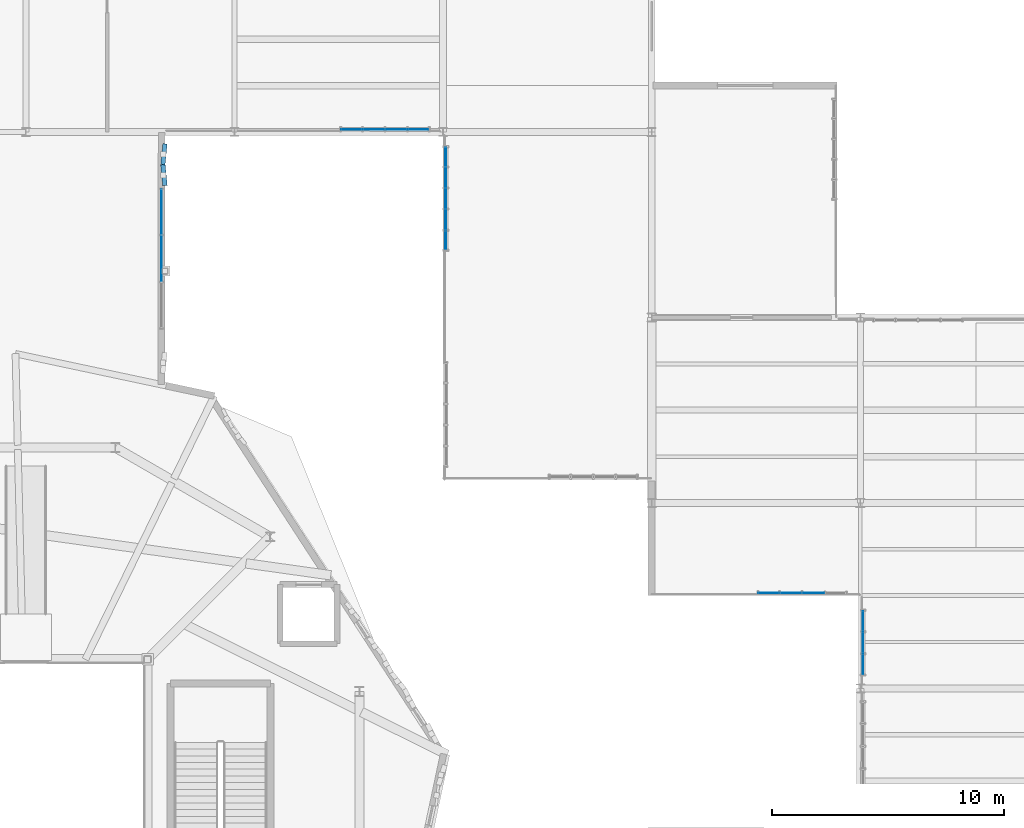
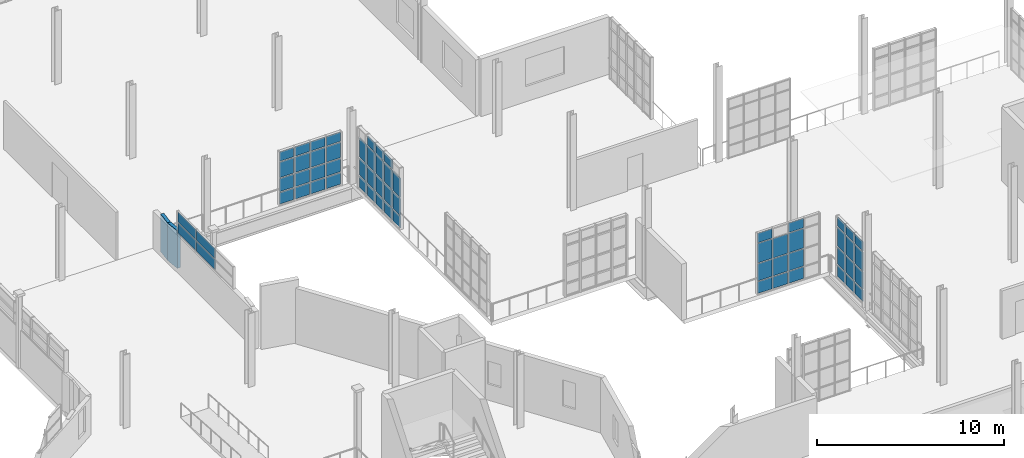
# One storey, part 93 of 118: 63 plates, 5 elements without a shape of their own.
"""IFC4 building model written with IfcOpenShell, lengths in metres."""

import ifcopenshell
import ifcopenshell.guid

model = None  # the IFC model being written
_history = None  # IfcOwnerHistory: only IFC2X3 demands one
_inside = {}  # id of a spatial element -> (the spatial element, [elements in it])
_under = {}  # id of a project, library or spatial element -> (it, [spatial elements below it])
_declared = {}  # id of a project -> (the project, [libraries it declares])
_typed = {}  # id of a type object -> (the type object, [elements of that type])
_made_of = {}  # id of a material, layer set ... -> (it, [elements and type objects made of it])


def new_model(schema):
    """Start an empty IFC model of exactly this schema.

    Asked for "IFC4X3", IfcOpenShell would pick the latest addendum, in which some entities
    have other attributes; the version numbers below select the first issue.
    IFC2X3 requires an IfcOwnerHistory on every rooted entity: one is made here for all.
    """
    global model, _history
    if schema == "IFC4X3":
        model = ifcopenshell.file(schema_version=(4, 3, 0, 0))
    else:
        model = ifcopenshell.file(schema=schema)
    _inside.clear()
    _under.clear()
    _declared.clear()
    _typed.clear()
    _made_of.clear()
    _history = None
    if model.schema == "IFC2X3":
        org = make("IfcOrganization", Name="unknown")
        user = make(
            "IfcPersonAndOrganization",
            ThePerson=make("IfcPerson", FamilyName="unknown"),
            TheOrganization=org,
        )
        app = make(
            "IfcApplication",
            ApplicationDeveloper=org,
            Version="unknown",
            ApplicationFullName="unknown",
            ApplicationIdentifier="unknown",
        )
        _history = make(
            "IfcOwnerHistory",
            OwningUser=user,
            OwningApplication=app,
            ChangeAction="ADDED",
            CreationDate=0,
        )
    return model


def make(cls, **values):
    """One entity of the class cls with the attributes given. An attribute that is None is left unset."""
    return model.create_entity(
        cls, **{name: value for name, value in values.items() if value is not None}
    )


def rooted(cls, **values):
    """An entity with a GlobalId (a new one), such as an element, a storey or a relation."""
    return make(cls, GlobalId=ifcopenshell.guid.new(), OwnerHistory=_history, **values)


def si_unit(unit_type, name, prefix=None):
    """IfcSIUnit, for example si_unit("LENGTHUNIT", "METRE", prefix="MILLI")."""
    return make("IfcSIUnit", UnitType=unit_type, Prefix=prefix, Name=name)


def assignment(units):
    """IfcUnitAssignment: the units of a project."""
    return None if units is None else make("IfcUnitAssignment", Units=units)


def point(xyz):
    """IfcCartesianPoint."""
    return None if xyz is None else make("IfcCartesianPoint", Coordinates=xyz)


def direction(xyz):
    """IfcDirection."""
    return None if xyz is None else make("IfcDirection", DirectionRatios=xyz)


def frame(location, z_axis=None, x_axis=None):
    """IfcAxis2Placement3D, a coordinate frame: its origin and axes. An axis left out is left unset."""
    return make(
        "IfcAxis2Placement3D",
        Location=point(location),
        Axis=direction(z_axis),
        RefDirection=direction(x_axis),
    )


def frame_2d(location, x_axis=None):
    """IfcAxis2Placement2D, a coordinate frame in the plane: its origin and x axis."""
    return make(
        "IfcAxis2Placement2D", Location=point(location), RefDirection=direction(x_axis)
    )


def origin():
    """The frame at (0, 0, 0) with its axes left unset."""
    return frame((0.0, 0.0, 0.0))


def origin_2d():
    """The frame at (0, 0) in the plane with its x axis left unset."""
    return frame_2d((0.0, 0.0))


def place(relative_to, where):
    """IfcLocalPlacement: puts the frame where relative to a parent placement (None: the world)."""
    return make(
        "IfcLocalPlacement", PlacementRelTo=relative_to, RelativePlacement=where
    )


def context(
    kind, dimensions, precision=None, world=None, true_north=None, identifier=None
):
    """IfcGeometricRepresentationContext, for example the 3D "Model" context."""
    return make(
        "IfcGeometricRepresentationContext",
        ContextIdentifier=identifier,
        ContextType=kind,
        CoordinateSpaceDimension=dimensions,
        Precision=precision,
        WorldCoordinateSystem=world,
        TrueNorth=true_north,
    )


def subcontext(parent, identifier, kind, view, scale=None):
    """IfcGeometricRepresentationSubContext, for example "Body" below "Model"."""
    return make(
        "IfcGeometricRepresentationSubContext",
        ContextIdentifier=identifier,
        ContextType=kind,
        ParentContext=parent,
        TargetScale=scale,
        TargetView=view,
    )


def project(units=None, contexts=None):
    """IfcProject with its units and contexts."""
    return rooted(
        "IfcProject",
        Name="project",
        RepresentationContexts=contexts,
        UnitsInContext=assignment(units),
    )


def spatial(cls, under=None, at=None, **own):
    """A site, building, storey or space (cls), placed at a placement, below another one or the project."""
    s = rooted(cls, ObjectPlacement=at, **own)
    if under is not None:
        _under.setdefault(under.id(), (under, []))[1].append(s)
    return s


def profile(cls, at=None, kind="AREA", **sizes):
    """A parametric profile (cls). Its sizes go by their IFC names, for example OverallWidth=200.0."""
    return make(cls, ProfileType=kind, Position=at, **sizes)


def rectangle(**sizes):
    """IfcRectangleProfileDef."""
    return profile("IfcRectangleProfileDef", **sizes)


def extrude(swept, where, along, depth):
    """IfcExtrudedAreaSolid: the profile swept, set in the frame where, extruded along a direction by depth."""
    return make(
        "IfcExtrudedAreaSolid",
        SweptArea=swept,
        Position=where,
        ExtrudedDirection=direction(along),
        Depth=depth,
    )


def shape(context_of_items, identifier, shape_type, items):
    """IfcShapeRepresentation: the items that make up one representation, for example the "Body"."""
    return make(
        "IfcShapeRepresentation",
        ContextOfItems=context_of_items,
        RepresentationIdentifier=identifier,
        RepresentationType=shape_type,
        Items=items,
    )


def material(Name=None, Category=None):
    """IfcMaterial."""
    return make("IfcMaterial", Name=Name, Category=Category)


def layer(
    of_material, thickness, ventilated=None, Name=None, Category=None, Priority=None
):
    """IfcMaterialLayer: one layer of a wall or slab, of a material (None: an air gap)."""
    return make(
        "IfcMaterialLayer",
        Material=of_material,
        LayerThickness=thickness,
        IsVentilated=ventilated,
        Name=Name,
        Category=Category,
        Priority=Priority,
    )


def layer_set(layers, Name=None):
    """IfcMaterialLayerSet."""
    return make("IfcMaterialLayerSet", MaterialLayers=layers, LayerSetName=Name)


def made_of(thing, what):
    """Note that an element or type object is made of a material, layer set ...; save() writes the relation."""
    if what is not None:
        _made_of.setdefault(what.id(), (what, []))[1].append(thing)
    return thing


def type_object(cls, material=None, **own):
    """A type object (cls), such as IfcWallType, which elements share."""
    return made_of(rooted(cls, **own), material)


def element(
    cls,
    number,
    at=None,
    inside=None,
    cuts=None,
    type_object=None,
    material=None,
    context=None,
    identifier="Body",
    shape_type=None,
    held_by="IfcProductDefinitionShape",
    body=None,
    shapes=None,
    **own,
):
    """One element of the class cls, such as IfcWall. Its Tag is "e" and its number.

    at: its placement. inside: the storey or other place that contains it. cuts: it is an
    opening in that element (IfcRelVoidsElement). A single representation is given by context,
    identifier, shape_type and body (its items); several are given by shapes. held_by: the class
    of the entity that holds the representations. save() writes the other relations.
    """
    e = rooted(cls, Tag="e%d" % number, ObjectPlacement=at, **own)
    if body is not None:
        shapes = [shape(context, identifier, shape_type, body)]
    if shapes is not None:
        e.Representation = make(held_by, Representations=shapes)
    if inside is not None:
        _inside.setdefault(inside.id(), (inside, []))[1].append(e)
    if cuts is not None:
        rooted(
            "IfcRelVoidsElement", RelatingBuildingElement=cuts, RelatedOpeningElement=e
        )
    if type_object is not None:
        _typed.setdefault(type_object.id(), (type_object, []))[1].append(e)
    return made_of(e, material)


def aggregate(whole, parts):
    """IfcRelAggregates: a whole, such as a stair, and the parts it consists of."""
    return rooted("IfcRelAggregates", RelatingObject=whole, RelatedObjects=parts)


def save(model, path):
    """Write the relations noted so far, then the file.

    IfcRelAggregates (storeys below a building ...), IfcRelContainedInSpatialStructure (elements
    in a storey), IfcRelDefinesByType, IfcRelAssociatesMaterial and IfcRelDeclares: one each for
    every whole, place, type object, material and project.
    """
    for whole, parts in _under.values():
        aggregate(whole, parts)
    for where, things in _inside.values():
        rooted(
            "IfcRelContainedInSpatialStructure",
            RelatedElements=things,
            RelatingStructure=where,
        )
    for kind, things in _typed.values():
        rooted("IfcRelDefinesByType", RelatedObjects=things, RelatingType=kind)
    for what, things in _made_of.values():
        rooted("IfcRelAssociatesMaterial", RelatedObjects=things, RelatingMaterial=what)
    for by, libraries in _declared.values():
        rooted("IfcRelDeclares", RelatingContext=by, RelatedDefinitions=libraries)
    model.write(path)


model = new_model("IFC4")

# Units and contexts
model_context = context("Model", 3, precision=1e-05, world=origin(), true_north=direction((0.0, 1.0)))
body_context = subcontext(model_context, "Body", "Model", "MODEL_VIEW")
ifc_project = project(units=[si_unit("LENGTHUNIT", "METRE"), si_unit("AREAUNIT", "SQUARE_METRE"), si_unit("VOLUMEUNIT", "CUBIC_METRE"), si_unit("PLANEANGLEUNIT", "RADIAN"), si_unit("MASSUNIT", "GRAM", prefix="KILO"), si_unit("THERMODYNAMICTEMPERATUREUNIT", "KELVIN"), si_unit("POWERUNIT", "WATT")], contexts=[model_context])

# Site, building, storey
site_placement = place(None, origin())
site = spatial("IfcSite", under=ifc_project, at=site_placement, CompositionType="ELEMENT")
building_placement = place(site_placement, origin())
building = spatial("IfcBuilding", under=site, at=building_placement, Name="Zelmaris Science Centre", CompositionType="ELEMENT")
storey_placement = place(building_placement, frame((0.0, 0.0, 15.60009765625)))
storey = spatial("IfcBuildingStorey", under=building, at=storey_placement, Name="L03", CompositionType="ELEMENT", Elevation=15.60009765625)

# Curtain wall, plates
ifc_material_1 = material(Name="Anodised architectural aluminium 6063-T6", Category="aluminium")
ifc_layer_1 = layer(ifc_material_1, 0.18994140625, Name="Anodised architectural aluminium 6063-T6")
ifc_layer_set_1 = layer_set([ifc_layer_1], Name="Anodised architectural aluminium 6063-T6")
curtain_wall_type_1 = type_object("IfcCurtainWallType", Name="Curtain Wall CW-01", PredefinedType="USERDEFINED", material=ifc_layer_set_1)
curtain_wall_1_placement = place(storey_placement, origin())
curtain_wall_1 = element("IfcCurtainWall", 1, at=curtain_wall_1_placement, inside=storey, type_object=curtain_wall_type_1, Name="L03 Unitised curtain wall 333", ObjectType="GLAZED CURTAIN WALL", PredefinedType="USERDEFINED")
ifc_material_2 = material(Name="Laminated hurricane-rated low-E insulated glazing", Category="glass")
ifc_layer_2 = layer(ifc_material_2, 0.031982421875, Name="Laminated hurricane-rated low-E insulated glazing")
ifc_layer_set_2 = layer_set([ifc_layer_2], Name="Laminated hurricane-rated low-E insulated glazing")
plate_type_1 = type_object("IfcPlateType", Name="Curtain Glazing Panel CWP-1 32mm", PredefinedType="CURTAIN_PANEL", material=ifc_layer_set_2)
plate_1_placement = place(storey_placement, frame((99.1201171875, 59.33203125, 0.05712890625), z_axis=(0.0, 0.0, 1.0), x_axis=(0.0, 1.0, 0.0)))
plate_1 = element("IfcPlate", 2, at=plate_1_placement, type_object=plate_type_1, Name="CW-01 panel 1.1", PredefinedType="CURTAIN_PANEL", context=body_context, shape_type="SweptSolid", body=[
    extrude(rectangle(XDim=0.800048828125, YDim=0.031982421875, at=origin_2d()), origin(), (0.0, 0.0, 1.0), 0.741943359375),
])
plate_2_placement = place(storey_placement, frame((99.1201171875, 59.33203125, 0.870849609375), z_axis=(0.0, 0.0, 1.0), x_axis=(0.0, 1.0, 0.0)))
plate_2 = element("IfcPlate", 3, at=plate_2_placement, type_object=plate_type_1, Name="CW-01 panel 1.2", PredefinedType="CURTAIN_PANEL", context=body_context, shape_type="SweptSolid", body=[
    extrude(rectangle(XDim=0.800048828125, YDim=0.031982421875, at=origin_2d()), origin(), (0.0, 0.0, 1.0), 1.1005859375),
])
plate_3_placement = place(storey_placement, frame((99.1201171875, 59.33203125, 2.04345703125), z_axis=(0.0, 0.0, 1.0), x_axis=(0.0, 1.0, 0.0)))
plate_3 = element("IfcPlate", 4, at=plate_3_placement, type_object=plate_type_1, Name="CW-01 panel 1.3", PredefinedType="CURTAIN_PANEL", context=body_context, shape_type="SweptSolid", body=[
    extrude(rectangle(XDim=0.800048828125, YDim=0.031982421875, at=origin_2d()), origin(), (0.0, 0.0, 1.0), 1.25048828125),
])
plate_4_placement = place(storey_placement, frame((99.1201171875, 60.221923828125, 0.05712890625), z_axis=(0.0, 0.0, 1.0), x_axis=(0.0, 1.0, 0.0)))
plate_4 = element("IfcPlate", 5, at=plate_4_placement, type_object=plate_type_1, Name="CW-01 panel 2.1", PredefinedType="CURTAIN_PANEL", context=body_context, shape_type="SweptSolid", body=[
    extrude(rectangle(XDim=0.8359375, YDim=0.031982421875, at=origin_2d()), origin(), (0.0, 0.0, 1.0), 0.741943359375),
])
plate_5_placement = place(storey_placement, frame((99.1201171875, 60.221923828125, 0.870849609375), z_axis=(0.0, 0.0, 1.0), x_axis=(0.0, 1.0, 0.0)))
plate_5 = element("IfcPlate", 6, at=plate_5_placement, type_object=plate_type_1, Name="CW-01 panel 2.2", PredefinedType="CURTAIN_PANEL", context=body_context, shape_type="SweptSolid", body=[
    extrude(rectangle(XDim=0.8359375, YDim=0.031982421875, at=origin_2d()), origin(), (0.0, 0.0, 1.0), 1.1005859375),
])
plate_6_placement = place(storey_placement, frame((99.1201171875, 60.221923828125, 2.04345703125), z_axis=(0.0, 0.0, 1.0), x_axis=(0.0, 1.0, 0.0)))
plate_6 = element("IfcPlate", 7, at=plate_6_placement, type_object=plate_type_1, Name="CW-01 panel 2.3", PredefinedType="CURTAIN_PANEL", context=body_context, shape_type="SweptSolid", body=[
    extrude(rectangle(XDim=0.8359375, YDim=0.031982421875, at=origin_2d()), origin(), (0.0, 0.0, 1.0), 1.25048828125),
])
plate_7_placement = place(storey_placement, frame((99.1201171875, 60.221923828125, 3.36572265625), z_axis=(0.0, 0.0, 1.0), x_axis=(0.0, 1.0, 0.0)))
plate_7 = element("IfcPlate", 8, at=plate_7_placement, type_object=plate_type_1, Name="CW-01 panel 2.4", PredefinedType="CURTAIN_PANEL", context=body_context, shape_type="SweptSolid", body=[
    extrude(rectangle(XDim=0.8359375, YDim=0.031982421875, at=origin_2d()), origin(), (0.0, 0.0, 1.0), 0.592041015625),
])
plate_8_placement = place(storey_placement, frame((99.1201171875, 61.1298828125, 0.05712890625), z_axis=(0.0, 0.0, 1.0), x_axis=(0.0, 1.0, 0.0)))
plate_8 = element("IfcPlate", 9, at=plate_8_placement, type_object=plate_type_1, Name="CW-01 panel 3.1", PredefinedType="CURTAIN_PANEL", context=body_context, shape_type="SweptSolid", body=[
    extrude(rectangle(XDim=0.8359375, YDim=0.031982421875, at=origin_2d()), origin(), (0.0, 0.0, 1.0), 0.741943359375),
])
plate_9_placement = place(storey_placement, frame((99.1201171875, 61.1298828125, 0.870849609375), z_axis=(0.0, 0.0, 1.0), x_axis=(0.0, 1.0, 0.0)))
plate_9 = element("IfcPlate", 10, at=plate_9_placement, type_object=plate_type_1, Name="CW-01 panel 3.2", PredefinedType="CURTAIN_PANEL", context=body_context, shape_type="SweptSolid", body=[
    extrude(rectangle(XDim=0.8359375, YDim=0.031982421875, at=origin_2d()), origin(), (0.0, 0.0, 1.0), 1.1005859375),
])
plate_10_placement = place(storey_placement, frame((99.1201171875, 61.1298828125, 2.04345703125), z_axis=(0.0, 0.0, 1.0), x_axis=(0.0, 1.0, 0.0)))
plate_10 = element("IfcPlate", 11, at=plate_10_placement, type_object=plate_type_1, Name="CW-01 panel 3.3", PredefinedType="CURTAIN_PANEL", context=body_context, shape_type="SweptSolid", body=[
    extrude(rectangle(XDim=0.8359375, YDim=0.031982421875, at=origin_2d()), origin(), (0.0, 0.0, 1.0), 1.25048828125),
])
plate_11_placement = place(storey_placement, frame((99.1201171875, 61.1298828125, 3.36572265625), z_axis=(0.0, 0.0, 1.0), x_axis=(0.0, 1.0, 0.0)))
plate_11 = element("IfcPlate", 12, at=plate_11_placement, type_object=plate_type_1, Name="CW-01 panel 3.4", PredefinedType="CURTAIN_PANEL", context=body_context, shape_type="SweptSolid", body=[
    extrude(rectangle(XDim=0.8359375, YDim=0.031982421875, at=origin_2d()), origin(), (0.0, 0.0, 1.0), 0.592041015625),
])
plate_12_placement = place(storey_placement, frame((99.1201171875, 62.0380859375, 0.05712890625), z_axis=(0.0, 0.0, 1.0), x_axis=(0.0, 1.0, 0.0)))
plate_12 = element("IfcPlate", 13, at=plate_12_placement, type_object=plate_type_1, Name="CW-01 panel 4.1", PredefinedType="CURTAIN_PANEL", context=body_context, shape_type="SweptSolid", body=[
    extrude(rectangle(XDim=0.8359375, YDim=0.031982421875, at=origin_2d()), origin(), (0.0, 0.0, 1.0), 0.741943359375),
])
plate_13_placement = place(storey_placement, frame((99.1201171875, 62.0380859375, 0.870849609375), z_axis=(0.0, 0.0, 1.0), x_axis=(0.0, 1.0, 0.0)))
plate_13 = element("IfcPlate", 14, at=plate_13_placement, type_object=plate_type_1, Name="CW-01 panel 4.2", PredefinedType="CURTAIN_PANEL", context=body_context, shape_type="SweptSolid", body=[
    extrude(rectangle(XDim=0.8359375, YDim=0.031982421875, at=origin_2d()), origin(), (0.0, 0.0, 1.0), 1.1005859375),
])
plate_14_placement = place(storey_placement, frame((99.1201171875, 62.0380859375, 2.04345703125), z_axis=(0.0, 0.0, 1.0), x_axis=(0.0, 1.0, 0.0)))
plate_14 = element("IfcPlate", 15, at=plate_14_placement, type_object=plate_type_1, Name="CW-01 panel 4.3", PredefinedType="CURTAIN_PANEL", context=body_context, shape_type="SweptSolid", body=[
    extrude(rectangle(XDim=0.8359375, YDim=0.031982421875, at=origin_2d()), origin(), (0.0, 0.0, 1.0), 1.25048828125),
])
plate_15_placement = place(storey_placement, frame((99.1201171875, 62.0380859375, 3.36572265625), z_axis=(0.0, 0.0, 1.0), x_axis=(0.0, 1.0, 0.0)))
plate_15 = element("IfcPlate", 16, at=plate_15_placement, type_object=plate_type_1, Name="CW-01 panel 4.4", PredefinedType="CURTAIN_PANEL", context=body_context, shape_type="SweptSolid", body=[
    extrude(rectangle(XDim=0.8359375, YDim=0.031982421875, at=origin_2d()), origin(), (0.0, 0.0, 1.0), 0.592041015625),
])
plate_16_placement = place(storey_placement, frame((99.1201171875, 62.927978515625, 0.05712890625), z_axis=(0.0, 0.0, 1.0), x_axis=(0.0, 1.0, 0.0)))
plate_16 = element("IfcPlate", 17, at=plate_16_placement, type_object=plate_type_1, Name="CW-01 panel 5.1", PredefinedType="CURTAIN_PANEL", context=body_context, shape_type="SweptSolid", body=[
    extrude(rectangle(XDim=0.800048828125, YDim=0.031982421875, at=origin_2d()), origin(), (0.0, 0.0, 1.0), 0.741943359375),
])
plate_17_placement = place(storey_placement, frame((99.1201171875, 62.927978515625, 0.870849609375), z_axis=(0.0, 0.0, 1.0), x_axis=(0.0, 1.0, 0.0)))
plate_17 = element("IfcPlate", 18, at=plate_17_placement, type_object=plate_type_1, Name="CW-01 panel 5.2", PredefinedType="CURTAIN_PANEL", context=body_context, shape_type="SweptSolid", body=[
    extrude(rectangle(XDim=0.800048828125, YDim=0.031982421875, at=origin_2d()), origin(), (0.0, 0.0, 1.0), 1.1005859375),
])
plate_18_placement = place(storey_placement, frame((99.1201171875, 62.927978515625, 2.04345703125), z_axis=(0.0, 0.0, 1.0), x_axis=(0.0, 1.0, 0.0)))
plate_18 = element("IfcPlate", 19, at=plate_18_placement, type_object=plate_type_1, Name="CW-01 panel 5.3", PredefinedType="CURTAIN_PANEL", context=body_context, shape_type="SweptSolid", body=[
    extrude(rectangle(XDim=0.800048828125, YDim=0.031982421875, at=origin_2d()), origin(), (0.0, 0.0, 1.0), 1.25048828125),
])
aggregate(curtain_wall_1, [plate_1, plate_2, plate_3, plate_4, plate_5, plate_6, plate_7, plate_8, plate_9, plate_10, plate_11, plate_12, plate_13, plate_14, plate_15, plate_16, plate_17, plate_18])

ifc_layer_3 = layer(ifc_material_1, 0.199951171875, Name="Anodised architectural aluminium 6063-T6")
ifc_layer_set_3 = layer_set([ifc_layer_3], Name="Anodised architectural aluminium 6063-T6")
curtain_wall_type_2 = type_object("IfcCurtainWallType", Name="Curtain Wall CW-02", PredefinedType="USERDEFINED", material=ifc_layer_set_3)
curtain_wall_2_placement = place(storey_placement, origin())
curtain_wall_2 = element("IfcCurtainWall", 20, at=curtain_wall_2_placement, inside=storey, type_object=curtain_wall_type_2, Name="L03 Unitised curtain wall 326", ObjectType="GLAZED CURTAIN WALL", PredefinedType="USERDEFINED")
ifc_layer_4 = layer(ifc_material_2, 0.028076171875, Name="Laminated hurricane-rated low-E insulated glazing")
ifc_layer_set_4 = layer_set([ifc_layer_4], Name="Laminated hurricane-rated low-E insulated glazing")
plate_type_2 = type_object("IfcPlateType", Name="Curtain Glazing Panel CWP-2 28mm", PredefinedType="CURTAIN_PANEL", material=ifc_layer_set_4)
plate_19_placement = place(storey_placement, frame((117.116943359375, 41.033203125, 0.052001953125), z_axis=(0.0, 0.0, 1.0), x_axis=(0.00101398549, 0.999999485917, 0.0)))
plate_19 = element("IfcPlate", 21, at=plate_19_placement, type_object=plate_type_2, Name="CW-02 panel 1.1", PredefinedType="CURTAIN_PANEL", context=body_context, shape_type="SweptSolid", body=[
    extrude(rectangle(XDim=0.852783203125, YDim=0.028076171875, at=origin_2d()), origin(), (0.0, 0.0, 1.0), 0.74951171875),
])
plate_20_placement = place(storey_placement, frame((117.116943359375, 41.033203125, 0.868408203125), z_axis=(0.0, 0.0, 1.0), x_axis=(0.00101398549, 0.999999485917, 0.0)))
plate_20 = element("IfcPlate", 22, at=plate_20_placement, type_object=plate_type_2, Name="CW-02 panel 1.2", PredefinedType="CURTAIN_PANEL", context=body_context, shape_type="SweptSolid", body=[
    extrude(rectangle(XDim=0.852783203125, YDim=0.028076171875, at=origin_2d()), origin(), (0.0, 0.0, 1.0), 1.10546875),
])
plate_21_placement = place(storey_placement, frame((117.116943359375, 41.033203125, 2.041015625), z_axis=(0.0, 0.0, 1.0), x_axis=(0.00101398549, 0.999999485917, 0.0)))
plate_21 = element("IfcPlate", 23, at=plate_21_placement, type_object=plate_type_2, Name="CW-02 panel 1.3", PredefinedType="CURTAIN_PANEL", context=body_context, shape_type="SweptSolid", body=[
    extrude(rectangle(XDim=0.852783203125, YDim=0.028076171875, at=origin_2d()), origin(), (0.0, 0.0, 1.0), 1.255615234375),
])
plate_22_placement = place(storey_placement, frame((117.116943359375, 41.033203125, 3.36328125), z_axis=(0.0, 0.0, 1.0), x_axis=(0.00101398549, 0.999999485917, 0.0)))
plate_22 = element("IfcPlate", 24, at=plate_22_placement, type_object=plate_type_2, Name="CW-02 panel 1.4", PredefinedType="CURTAIN_PANEL", context=body_context, shape_type="SweptSolid", body=[
    extrude(rectangle(XDim=0.852783203125, YDim=0.028076171875, at=origin_2d()), origin(), (0.0, 0.0, 1.0), 0.599609375),
])
plate_23_placement = place(storey_placement, frame((117.117919921875, 41.969970703125, 0.052001953125), z_axis=(0.0, 0.0, 1.0), x_axis=(0.00101398549, 0.999999485917, 0.0)))
plate_23 = element("IfcPlate", 25, at=plate_23_placement, type_object=plate_type_2, Name="CW-02 panel 2.1", PredefinedType="CURTAIN_PANEL", context=body_context, shape_type="SweptSolid", body=[
    extrude(rectangle(XDim=0.88623046875, YDim=0.028076171875, at=origin_2d()), origin(), (0.0, 0.0, 1.0), 0.74951171875),
])
plate_24_placement = place(storey_placement, frame((117.117919921875, 41.969970703125, 0.868408203125), z_axis=(0.0, 0.0, 1.0), x_axis=(0.00101398549, 0.999999485917, 0.0)))
plate_24 = element("IfcPlate", 26, at=plate_24_placement, type_object=plate_type_2, Name="CW-02 panel 2.2", PredefinedType="CURTAIN_PANEL", context=body_context, shape_type="SweptSolid", body=[
    extrude(rectangle(XDim=0.88623046875, YDim=0.028076171875, at=origin_2d()), origin(), (0.0, 0.0, 1.0), 1.10546875),
])
plate_25_placement = place(storey_placement, frame((117.117919921875, 41.969970703125, 2.041015625), z_axis=(0.0, 0.0, 1.0), x_axis=(0.00101398549, 0.999999485917, 0.0)))
plate_25 = element("IfcPlate", 27, at=plate_25_placement, type_object=plate_type_2, Name="CW-02 panel 2.3", PredefinedType="CURTAIN_PANEL", context=body_context, shape_type="SweptSolid", body=[
    extrude(rectangle(XDim=0.88623046875, YDim=0.028076171875, at=origin_2d()), origin(), (0.0, 0.0, 1.0), 1.255615234375),
])
plate_26_placement = place(storey_placement, frame((117.117919921875, 41.969970703125, 3.36328125), z_axis=(0.0, 0.0, 1.0), x_axis=(0.00101398549, 0.999999485917, 0.0)))
plate_26 = element("IfcPlate", 28, at=plate_26_placement, type_object=plate_type_2, Name="CW-02 panel 2.4", PredefinedType="CURTAIN_PANEL", context=body_context, shape_type="SweptSolid", body=[
    extrude(rectangle(XDim=0.88623046875, YDim=0.028076171875, at=origin_2d()), origin(), (0.0, 0.0, 1.0), 0.599609375),
])
plate_27_placement = place(storey_placement, frame((117.118896484375, 42.906494140625, 0.052001953125), z_axis=(0.0, 0.0, 1.0), x_axis=(0.00101398549, 0.999999485917, 0.0)))
plate_27 = element("IfcPlate", 29, at=plate_27_placement, type_object=plate_type_2, Name="CW-02 panel 3.1", PredefinedType="CURTAIN_PANEL", context=body_context, shape_type="SweptSolid", body=[
    extrude(rectangle(XDim=0.852783203125, YDim=0.028076171875, at=origin_2d()), origin(), (0.0, 0.0, 1.0), 0.74951171875),
])
plate_28_placement = place(storey_placement, frame((117.118896484375, 42.906494140625, 0.868408203125), z_axis=(0.0, 0.0, 1.0), x_axis=(0.00101398549, 0.999999485917, 0.0)))
plate_28 = element("IfcPlate", 30, at=plate_28_placement, type_object=plate_type_2, Name="CW-02 panel 3.2", PredefinedType="CURTAIN_PANEL", context=body_context, shape_type="SweptSolid", body=[
    extrude(rectangle(XDim=0.852783203125, YDim=0.028076171875, at=origin_2d()), origin(), (0.0, 0.0, 1.0), 1.10546875),
])
plate_29_placement = place(storey_placement, frame((117.118896484375, 42.906494140625, 2.041015625), z_axis=(0.0, 0.0, 1.0), x_axis=(0.00101398549, 0.999999485917, 0.0)))
plate_29 = element("IfcPlate", 31, at=plate_29_placement, type_object=plate_type_2, Name="CW-02 panel 3.3", PredefinedType="CURTAIN_PANEL", context=body_context, shape_type="SweptSolid", body=[
    extrude(rectangle(XDim=0.852783203125, YDim=0.028076171875, at=origin_2d()), origin(), (0.0, 0.0, 1.0), 1.255615234375),
])
plate_30_placement = place(storey_placement, frame((117.118896484375, 42.906494140625, 3.36328125), z_axis=(0.0, 0.0, 1.0), x_axis=(0.00101398549, 0.999999485917, 0.0)))
plate_30 = element("IfcPlate", 32, at=plate_30_placement, type_object=plate_type_2, Name="CW-02 panel 3.4", PredefinedType="CURTAIN_PANEL", context=body_context, shape_type="SweptSolid", body=[
    extrude(rectangle(XDim=0.852783203125, YDim=0.028076171875, at=origin_2d()), origin(), (0.0, 0.0, 1.0), 0.599609375),
])
aggregate(curtain_wall_2, [plate_19, plate_20, plate_21, plate_22, plate_23, plate_24, plate_25, plate_26, plate_27, plate_28, plate_29, plate_30])

curtain_wall_3_placement = place(storey_placement, origin())
curtain_wall_3 = element("IfcCurtainWall", 33, at=curtain_wall_3_placement, inside=storey, type_object=curtain_wall_type_2, Name="L03 Unitised curtain wall 334", ObjectType="GLAZED CURTAIN WALL", PredefinedType="USERDEFINED")
plate_31_placement = place(storey_placement, frame((97.930908203125, 64.11083984375, 0.052001953125), z_axis=(0.0, 0.0, 1.0), x_axis=(-0.999999639539, 0.000849070866, 0.0)))
plate_31 = element("IfcPlate", 34, at=plate_31_placement, type_object=plate_type_2, Name="CW-02 panel 1.1", PredefinedType="CURTAIN_PANEL", context=body_context, shape_type="SweptSolid", body=[
    extrude(rectangle(XDim=0.87109375, YDim=0.028076171875, at=origin_2d()), origin(), (0.0, 0.0, 1.0), 0.74951171875),
])
plate_32_placement = place(storey_placement, frame((97.930908203125, 64.11083984375, 0.868408203125), z_axis=(0.0, 0.0, 1.0), x_axis=(-0.999999639539, 0.000849070866, 0.0)))
plate_32 = element("IfcPlate", 35, at=plate_32_placement, type_object=plate_type_2, Name="CW-02 panel 1.2", PredefinedType="CURTAIN_PANEL", context=body_context, shape_type="SweptSolid", body=[
    extrude(rectangle(XDim=0.87109375, YDim=0.028076171875, at=origin_2d()), origin(), (0.0, 0.0, 1.0), 0.8525390625),
])
plate_33_placement = place(storey_placement, frame((97.930908203125, 64.11083984375, 1.787841796875), z_axis=(0.0, 0.0, 1.0), x_axis=(-0.999999639539, 0.000849070866, 0.0)))
plate_33 = element("IfcPlate", 36, at=plate_33_placement, type_object=plate_type_2, Name="CW-02 panel 1.3", PredefinedType="CURTAIN_PANEL", context=body_context, shape_type="SweptSolid", body=[
    extrude(rectangle(XDim=0.87109375, YDim=0.028076171875, at=origin_2d()), origin(), (0.0, 0.0, 1.0), 1.00244140625),
])
plate_34_placement = place(storey_placement, frame((97.930908203125, 64.11083984375, 2.857421875), z_axis=(0.0, 0.0, 1.0), x_axis=(-0.999999639539, 0.000849070866, 0.0)))
plate_34 = element("IfcPlate", 37, at=plate_34_placement, type_object=plate_type_2, Name="CW-02 panel 1.4", PredefinedType="CURTAIN_PANEL", context=body_context, shape_type="SweptSolid", body=[
    extrude(rectangle(XDim=0.87109375, YDim=0.028076171875, at=origin_2d()), origin(), (0.0, 0.0, 1.0), 0.599609375),
])
plate_35_placement = place(storey_placement, frame((96.975830078125, 64.111572265625, 0.052001953125), z_axis=(0.0, 0.0, 1.0), x_axis=(-0.999999639539, 0.000849070866, 0.0)))
plate_35 = element("IfcPlate", 38, at=plate_35_placement, type_object=plate_type_2, Name="CW-02 panel 2.1", PredefinedType="CURTAIN_PANEL", context=body_context, shape_type="SweptSolid", body=[
    extrude(rectangle(XDim=0.904541015625, YDim=0.028076171875, at=origin_2d()), origin(), (0.0, 0.0, 1.0), 0.74951171875),
])
plate_36_placement = place(storey_placement, frame((96.975830078125, 64.111572265625, 0.868408203125), z_axis=(0.0, 0.0, 1.0), x_axis=(-0.999999639539, 0.000849070866, 0.0)))
plate_36 = element("IfcPlate", 39, at=plate_36_placement, type_object=plate_type_2, Name="CW-02 panel 2.2", PredefinedType="CURTAIN_PANEL", context=body_context, shape_type="SweptSolid", body=[
    extrude(rectangle(XDim=0.904541015625, YDim=0.028076171875, at=origin_2d()), origin(), (0.0, 0.0, 1.0), 0.8525390625),
])
plate_37_placement = place(storey_placement, frame((96.975830078125, 64.111572265625, 1.787841796875), z_axis=(0.0, 0.0, 1.0), x_axis=(-0.999999639539, 0.000849070866, 0.0)))
plate_37 = element("IfcPlate", 40, at=plate_37_placement, type_object=plate_type_2, Name="CW-02 panel 2.3", PredefinedType="CURTAIN_PANEL", context=body_context, shape_type="SweptSolid", body=[
    extrude(rectangle(XDim=0.904541015625, YDim=0.028076171875, at=origin_2d()), origin(), (0.0, 0.0, 1.0), 1.00244140625),
])
plate_38_placement = place(storey_placement, frame((96.975830078125, 64.111572265625, 2.857421875), z_axis=(0.0, 0.0, 1.0), x_axis=(-0.999999639539, 0.000849070866, 0.0)))
plate_38 = element("IfcPlate", 41, at=plate_38_placement, type_object=plate_type_2, Name="CW-02 panel 2.4", PredefinedType="CURTAIN_PANEL", context=body_context, shape_type="SweptSolid", body=[
    extrude(rectangle(XDim=0.904541015625, YDim=0.028076171875, at=origin_2d()), origin(), (0.0, 0.0, 1.0), 0.599609375),
])
plate_39_placement = place(storey_placement, frame((96.00439453125, 64.1123046875, 0.052001953125), z_axis=(0.0, 0.0, 1.0), x_axis=(-0.999999639539, 0.000849070866, 0.0)))
plate_39 = element("IfcPlate", 42, at=plate_39_placement, type_object=plate_type_2, Name="CW-02 panel 3.1", PredefinedType="CURTAIN_PANEL", context=body_context, shape_type="SweptSolid", body=[
    extrude(rectangle(XDim=0.904541015625, YDim=0.028076171875, at=origin_2d()), origin(), (0.0, 0.0, 1.0), 0.74951171875),
])
plate_40_placement = place(storey_placement, frame((96.00439453125, 64.1123046875, 0.868408203125), z_axis=(0.0, 0.0, 1.0), x_axis=(-0.999999639539, 0.000849070866, 0.0)))
plate_40 = element("IfcPlate", 43, at=plate_40_placement, type_object=plate_type_2, Name="CW-02 panel 3.2", PredefinedType="CURTAIN_PANEL", context=body_context, shape_type="SweptSolid", body=[
    extrude(rectangle(XDim=0.904541015625, YDim=0.028076171875, at=origin_2d()), origin(), (0.0, 0.0, 1.0), 0.8525390625),
])
plate_41_placement = place(storey_placement, frame((96.00439453125, 64.1123046875, 1.787841796875), z_axis=(0.0, 0.0, 1.0), x_axis=(-0.999999639539, 0.000849070866, 0.0)))
plate_41 = element("IfcPlate", 44, at=plate_41_placement, type_object=plate_type_2, Name="CW-02 panel 3.3", PredefinedType="CURTAIN_PANEL", context=body_context, shape_type="SweptSolid", body=[
    extrude(rectangle(XDim=0.904541015625, YDim=0.028076171875, at=origin_2d()), origin(), (0.0, 0.0, 1.0), 1.00244140625),
])
plate_42_placement = place(storey_placement, frame((96.00439453125, 64.1123046875, 2.857421875), z_axis=(0.0, 0.0, 1.0), x_axis=(-0.999999639539, 0.000849070866, 0.0)))
plate_42 = element("IfcPlate", 45, at=plate_42_placement, type_object=plate_type_2, Name="CW-02 panel 3.4", PredefinedType="CURTAIN_PANEL", context=body_context, shape_type="SweptSolid", body=[
    extrude(rectangle(XDim=0.904541015625, YDim=0.028076171875, at=origin_2d()), origin(), (0.0, 0.0, 1.0), 0.599609375),
])
plate_43_placement = place(storey_placement, frame((95.04931640625, 64.11328125, 0.052001953125), z_axis=(0.0, 0.0, 1.0), x_axis=(-0.999999639539, 0.000849070866, 0.0)))
plate_43 = element("IfcPlate", 46, at=plate_43_placement, type_object=plate_type_2, Name="CW-02 panel 4.1", PredefinedType="CURTAIN_PANEL", context=body_context, shape_type="SweptSolid", body=[
    extrude(rectangle(XDim=0.87109375, YDim=0.028076171875, at=origin_2d()), origin(), (0.0, 0.0, 1.0), 0.74951171875),
])
plate_44_placement = place(storey_placement, frame((95.04931640625, 64.11328125, 0.868408203125), z_axis=(0.0, 0.0, 1.0), x_axis=(-0.999999639539, 0.000849070866, 0.0)))
plate_44 = element("IfcPlate", 47, at=plate_44_placement, type_object=plate_type_2, Name="CW-02 panel 4.2", PredefinedType="CURTAIN_PANEL", context=body_context, shape_type="SweptSolid", body=[
    extrude(rectangle(XDim=0.87109375, YDim=0.028076171875, at=origin_2d()), origin(), (0.0, 0.0, 1.0), 0.8525390625),
])
plate_45_placement = place(storey_placement, frame((95.04931640625, 64.11328125, 1.787841796875), z_axis=(0.0, 0.0, 1.0), x_axis=(-0.999999639539, 0.000849070866, 0.0)))
plate_45 = element("IfcPlate", 48, at=plate_45_placement, type_object=plate_type_2, Name="CW-02 panel 4.3", PredefinedType="CURTAIN_PANEL", context=body_context, shape_type="SweptSolid", body=[
    extrude(rectangle(XDim=0.87109375, YDim=0.028076171875, at=origin_2d()), origin(), (0.0, 0.0, 1.0), 1.00244140625),
])
plate_46_placement = place(storey_placement, frame((95.04931640625, 64.11328125, 2.857421875), z_axis=(0.0, 0.0, 1.0), x_axis=(-0.999999639539, 0.000849070866, 0.0)))
plate_46 = element("IfcPlate", 49, at=plate_46_placement, type_object=plate_type_2, Name="CW-02 panel 4.4", PredefinedType="CURTAIN_PANEL", context=body_context, shape_type="SweptSolid", body=[
    extrude(rectangle(XDim=0.87109375, YDim=0.028076171875, at=origin_2d()), origin(), (0.0, 0.0, 1.0), 0.599609375),
])
aggregate(curtain_wall_3, [plate_31, plate_32, plate_33, plate_34, plate_35, plate_36, plate_37, plate_38, plate_39, plate_40, plate_41, plate_42, plate_43, plate_44, plate_45, plate_46])

ifc_layer_5 = layer(ifc_material_1, 0.2099609375, Name="Anodised architectural aluminium 6063-T6")
ifc_layer_set_5 = layer_set([ifc_layer_5], Name="Anodised architectural aluminium 6063-T6")
curtain_wall_type_3 = type_object("IfcCurtainWallType", Name="Curtain Wall CW-03", PredefinedType="USERDEFINED", material=ifc_layer_set_5)
curtain_wall_4_placement = place(storey_placement, origin())
curtain_wall_4 = element("IfcCurtainWall", 50, at=curtain_wall_4_placement, inside=storey, type_object=curtain_wall_type_3, Name="L03 Unitised curtain wall 327", ObjectType="GLAZED CURTAIN WALL", PredefinedType="USERDEFINED")
ifc_layer_6 = layer(ifc_material_2, 0.02587890625, Name="Laminated hurricane-rated low-E insulated glazing")
ifc_layer_set_6 = layer_set([ifc_layer_6], Name="Laminated hurricane-rated low-E insulated glazing")
plate_type_3 = type_object("IfcPlateType", Name="Curtain Glazing Panel CWP-3 26mm", PredefinedType="CURTAIN_PANEL", material=ifc_layer_set_6)
plate_47_placement = place(storey_placement, frame((114.97998046875, 44.109375, 0.0419921875), z_axis=(0.0, 0.0, 1.0), x_axis=(-0.999998849207, 0.001517097758, 0.0)))
plate_47 = element("IfcPlate", 51, at=plate_47_placement, type_object=plate_type_3, Name="CW-03 panel 2.1", PredefinedType="CURTAIN_PANEL", context=body_context, shape_type="SweptSolid", body=[
    extrude(rectangle(XDim=0.915283203125, YDim=0.02587890625, at=origin_2d()), origin(), (0.0, 0.0, 1.0), 0.764404296875),
])
plate_48_placement = place(storey_placement, frame((114.97998046875, 44.109375, 0.86328125), z_axis=(0.0, 0.0, 1.0), x_axis=(-0.999998849207, 0.001517097758, 0.0)))
plate_48 = element("IfcPlate", 52, at=plate_48_placement, type_object=plate_type_3, Name="CW-03 panel 2.2", PredefinedType="CURTAIN_PANEL", context=body_context, shape_type="SweptSolid", body=[
    extrude(rectangle(XDim=0.915283203125, YDim=0.02587890625, at=origin_2d()), origin(), (0.0, 0.0, 1.0), 1.115478515625),
])
plate_49_placement = place(storey_placement, frame((114.97998046875, 44.109375, 2.0361328125), z_axis=(0.0, 0.0, 1.0), x_axis=(-0.999998849207, 0.001517097758, 0.0)))
plate_49 = element("IfcPlate", 53, at=plate_49_placement, type_object=plate_type_3, Name="CW-03 panel 2.3", PredefinedType="CURTAIN_PANEL", context=body_context, shape_type="SweptSolid", body=[
    extrude(rectangle(XDim=0.915283203125, YDim=0.02587890625, at=origin_2d()), origin(), (0.0, 0.0, 1.0), 1.265380859375),
])
plate_50_placement = place(storey_placement, frame((114.97998046875, 44.109375, 3.3583984375), z_axis=(0.0, 0.0, 1.0), x_axis=(-0.999998849207, 0.001517097758, 0.0)))
plate_50 = element("IfcPlate", 54, at=plate_50_placement, type_object=plate_type_3, Name="CW-03 panel 2.4", PredefinedType="CURTAIN_PANEL", context=body_context, shape_type="SweptSolid", body=[
    extrude(rectangle(XDim=0.915283203125, YDim=0.02587890625, at=origin_2d()), origin(), (0.0, 0.0, 1.0), 0.614501953125),
])
plate_51_placement = place(storey_placement, frame((114.007568359375, 44.11083984375, 0.0419921875), z_axis=(0.0, 0.0, 1.0), x_axis=(-0.999998849207, 0.001517097758, 0.0)))
plate_51 = element("IfcPlate", 55, at=plate_51_placement, type_object=plate_type_3, Name="CW-03 panel 3.1", PredefinedType="CURTAIN_PANEL", context=body_context, shape_type="SweptSolid", body=[
    extrude(rectangle(XDim=0.915283203125, YDim=0.02587890625, at=origin_2d()), origin(), (0.0, 0.0, 1.0), 0.764404296875),
])
plate_52_placement = place(storey_placement, frame((114.007568359375, 44.11083984375, 0.86328125), z_axis=(0.0, 0.0, 1.0), x_axis=(-0.999998849207, 0.001517097758, 0.0)))
plate_52 = element("IfcPlate", 56, at=plate_52_placement, type_object=plate_type_3, Name="CW-03 panel 3.2", PredefinedType="CURTAIN_PANEL", context=body_context, shape_type="SweptSolid", body=[
    extrude(rectangle(XDim=0.915283203125, YDim=0.02587890625, at=origin_2d()), origin(), (0.0, 0.0, 1.0), 1.115478515625),
])
plate_53_placement = place(storey_placement, frame((114.007568359375, 44.11083984375, 2.0361328125), z_axis=(0.0, 0.0, 1.0), x_axis=(-0.999998849207, 0.001517097758, 0.0)))
plate_53 = element("IfcPlate", 57, at=plate_53_placement, type_object=plate_type_3, Name="CW-03 panel 3.3", PredefinedType="CURTAIN_PANEL", context=body_context, shape_type="SweptSolid", body=[
    extrude(rectangle(XDim=0.915283203125, YDim=0.02587890625, at=origin_2d()), origin(), (0.0, 0.0, 1.0), 1.265380859375),
])
plate_54_placement = place(storey_placement, frame((113.049560546875, 44.1123046875, 0.0419921875), z_axis=(0.0, 0.0, 1.0), x_axis=(-0.999998849207, 0.001517097758, 0.0)))
plate_54 = element("IfcPlate", 58, at=plate_54_placement, type_object=plate_type_3, Name="CW-03 panel 4.1", PredefinedType="CURTAIN_PANEL", context=body_context, shape_type="SweptSolid", body=[
    extrude(rectangle(XDim=0.88671875, YDim=0.02587890625, at=origin_2d()), origin(), (0.0, 0.0, 1.0), 0.764404296875),
])
plate_55_placement = place(storey_placement, frame((113.049560546875, 44.1123046875, 0.86328125), z_axis=(0.0, 0.0, 1.0), x_axis=(-0.999998849207, 0.001517097758, 0.0)))
plate_55 = element("IfcPlate", 59, at=plate_55_placement, type_object=plate_type_3, Name="CW-03 panel 4.2", PredefinedType="CURTAIN_PANEL", context=body_context, shape_type="SweptSolid", body=[
    extrude(rectangle(XDim=0.88671875, YDim=0.02587890625, at=origin_2d()), origin(), (0.0, 0.0, 1.0), 1.115478515625),
])
plate_56_placement = place(storey_placement, frame((113.049560546875, 44.1123046875, 2.0361328125), z_axis=(0.0, 0.0, 1.0), x_axis=(-0.999998849207, 0.001517097758, 0.0)))
plate_56 = element("IfcPlate", 60, at=plate_56_placement, type_object=plate_type_3, Name="CW-03 panel 4.3", PredefinedType="CURTAIN_PANEL", context=body_context, shape_type="SweptSolid", body=[
    extrude(rectangle(XDim=0.88671875, YDim=0.02587890625, at=origin_2d()), origin(), (0.0, 0.0, 1.0), 1.265380859375),
])
plate_57_placement = place(storey_placement, frame((113.049560546875, 44.1123046875, 3.3583984375), z_axis=(0.0, 0.0, 1.0), x_axis=(-0.999998849207, 0.001517097758, 0.0)))
plate_57 = element("IfcPlate", 61, at=plate_57_placement, type_object=plate_type_3, Name="CW-03 panel 4.4", PredefinedType="CURTAIN_PANEL", context=body_context, shape_type="SweptSolid", body=[
    extrude(rectangle(XDim=0.88671875, YDim=0.02587890625, at=origin_2d()), origin(), (0.0, 0.0, 1.0), 0.614501953125),
])
aggregate(curtain_wall_4, [plate_47, plate_48, plate_49, plate_50, plate_51, plate_52, plate_53, plate_54, plate_55, plate_56, plate_57])

ifc_layer_7 = layer(ifc_material_1, 0.219970703125, Name="Anodised architectural aluminium 6063-T6")
ifc_layer_set_7 = layer_set([ifc_layer_7], Name="Anodised architectural aluminium 6063-T6")
curtain_wall_type_4 = type_object("IfcCurtainWallType", Name="Curtain Wall CW-04", PredefinedType="USERDEFINED", material=ifc_layer_set_7)
curtain_wall_5_placement = place(storey_placement, origin())
curtain_wall_5 = element("IfcCurtainWall", 62, at=curtain_wall_5_placement, inside=storey, type_object=curtain_wall_type_4, Name="L03 Clerestory curtain wall 336", ObjectType="GLAZED CURTAIN WALL", PredefinedType="USERDEFINED")
ifc_layer_8 = layer(ifc_material_2, 0.02392578125, Name="Laminated hurricane-rated low-E insulated glazing")
ifc_layer_set_8 = layer_set([ifc_layer_8], Name="Laminated hurricane-rated low-E insulated glazing")
plate_type_4 = type_object("IfcPlateType", Name="Curtain Glazing Panel CWP-4 24mm", PredefinedType="CURTAIN_PANEL", material=ifc_layer_set_8)
plate_58_placement = place(storey_placement, frame((86.849609375, 60.552734375, 2.47216796875), z_axis=(0.0, 0.0, 1.0), x_axis=(-0.001148401071, -0.999999340587, 0.0)))
plate_58 = element("IfcPlate", 63, at=plate_58_placement, type_object=plate_type_4, Name="CW-04 panel 1.1", PredefinedType="CURTAIN_PANEL", context=body_context, shape_type="SweptSolid", body=[
    extrude(rectangle(XDim=1.94677734375, YDim=0.02392578125, at=origin_2d()), origin(), (0.0, 0.0, 1.0), 0.660400390625),
])
plate_59_placement = place(storey_placement, frame((86.849609375, 60.552734375, 3.1845703125), z_axis=(0.0, 0.0, 1.0), x_axis=(-0.001148401071, -0.999999340587, 0.0)))
plate_59 = element("IfcPlate", 64, at=plate_59_placement, type_object=plate_type_4, Name="CW-04 panel 1.2", PredefinedType="CURTAIN_PANEL", context=body_context, shape_type="SweptSolid", body=[
    extrude(rectangle(XDim=1.94677734375, YDim=0.02392578125, at=origin_2d()), origin(), (0.0, 0.0, 1.0), 0.660400390625),
])
plate_60_placement = place(storey_placement, frame((86.847412109375, 58.541015625, 2.47216796875), z_axis=(0.0, 0.0, 1.0), x_axis=(-0.001148401071, -0.999999340587, 0.0)))
plate_60 = element("IfcPlate", 65, at=plate_60_placement, type_object=plate_type_4, Name="CW-04 panel 2.1", PredefinedType="CURTAIN_PANEL", context=body_context, shape_type="SweptSolid", body=[
    extrude(rectangle(XDim=1.972900390625, YDim=0.02392578125, at=origin_2d()), origin(), (0.0, 0.0, 1.0), 0.660400390625),
])
plate_61_placement = place(storey_placement, frame((86.847412109375, 58.541015625, 3.1845703125), z_axis=(0.0, 0.0, 1.0), x_axis=(-0.001148401071, -0.999999340587, 0.0)))
plate_61 = element("IfcPlate", 66, at=plate_61_placement, type_object=plate_type_4, Name="CW-04 panel 2.2", PredefinedType="CURTAIN_PANEL", context=body_context, shape_type="SweptSolid", body=[
    extrude(rectangle(XDim=1.972900390625, YDim=0.02392578125, at=origin_2d()), origin(), (0.0, 0.0, 1.0), 0.660400390625),
])
aggregate(curtain_wall_5, [plate_58, plate_59, plate_60, plate_61])

# Plates
ifc_material_3 = material(Name="Precast concrete C40/50", Category="concrete")
ifc_layer_9 = layer(ifc_material_3, 0.18994140625, Name="Precast concrete C40/50")
ifc_layer_set_9 = layer_set([ifc_layer_9], Name="Precast concrete C40/50")
plate_type_5 = type_object("IfcPlateType", Name="Precast Facet Panel FP-09 190mm", PredefinedType="SHEET", material=ifc_layer_set_9)
plate_62_placement = place(storey_placement, frame((87.004638671875, 63.49072265625, 0.02001953125), z_axis=(0.0, 0.0, 1.0), x_axis=(-0.102282231171, -0.994755419782, 0.0)))
element("IfcPlate", 67, at=plate_62_placement, inside=storey, type_object=plate_type_5, Name="L03 Folded precast facet panel 164", PredefinedType="SHEET", context=body_context, shape_type="SweptSolid", body=[
    extrude(rectangle(XDim=0.904541015625, YDim=0.18994140625, at=frame_2d((0.4521484375, 0.0))), origin(), (0.0, 0.0, 1.0), 2.4599609375),
])
ifc_layer_10 = layer(ifc_material_3, 0.199951171875, Name="Precast concrete C40/50")
ifc_layer_set_10 = layer_set([ifc_layer_10], Name="Precast concrete C40/50")
plate_type_6 = type_object("IfcPlateType", Name="Precast Facet Panel FP-10 200mm", PredefinedType="SHEET", material=ifc_layer_set_10)
plate_63_placement = place(storey_placement, frame((86.912109375, 62.5908203125, 0.02001953125), z_axis=(0.0, 0.0, 1.0), x_axis=(0.100145123171, -0.994972840989, 0.0)))
element("IfcPlate", 68, at=plate_63_placement, inside=storey, type_object=plate_type_6, Name="L03 Folded precast facet panel 165", PredefinedType="SHEET", context=body_context, shape_type="SweptSolid", body=[
    extrude(rectangle(XDim=0.904541015625, YDim=0.199951171875, at=frame_2d((0.4521484375, 0.0))), origin(), (0.0, 0.0, 1.0), 2.4599609375),
])

save(model, "model.ifc")
